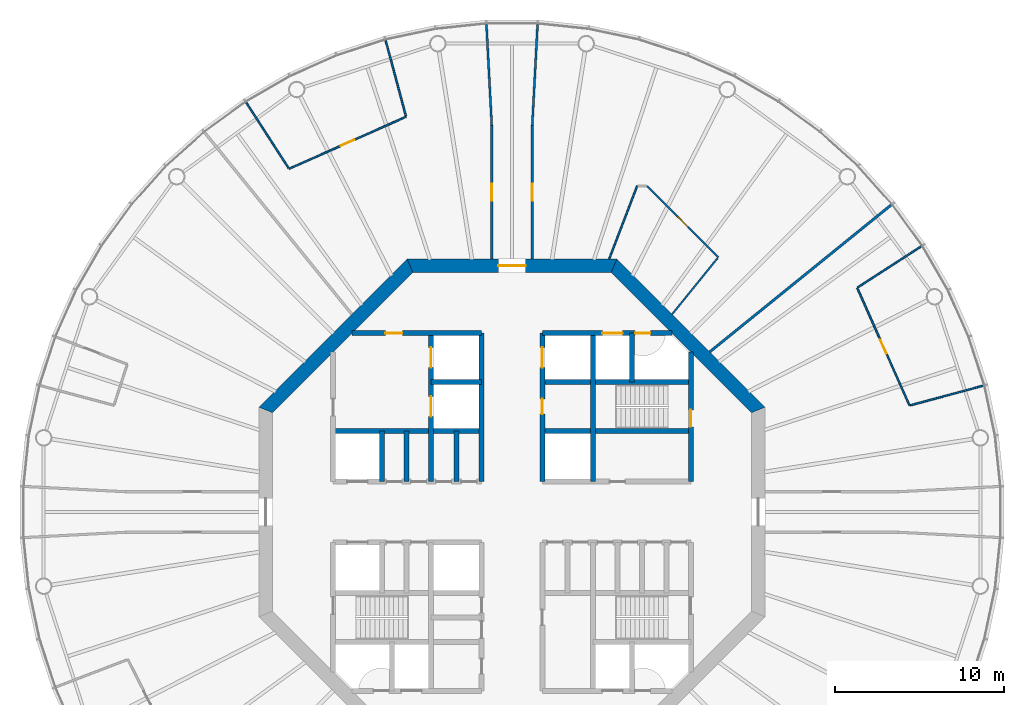
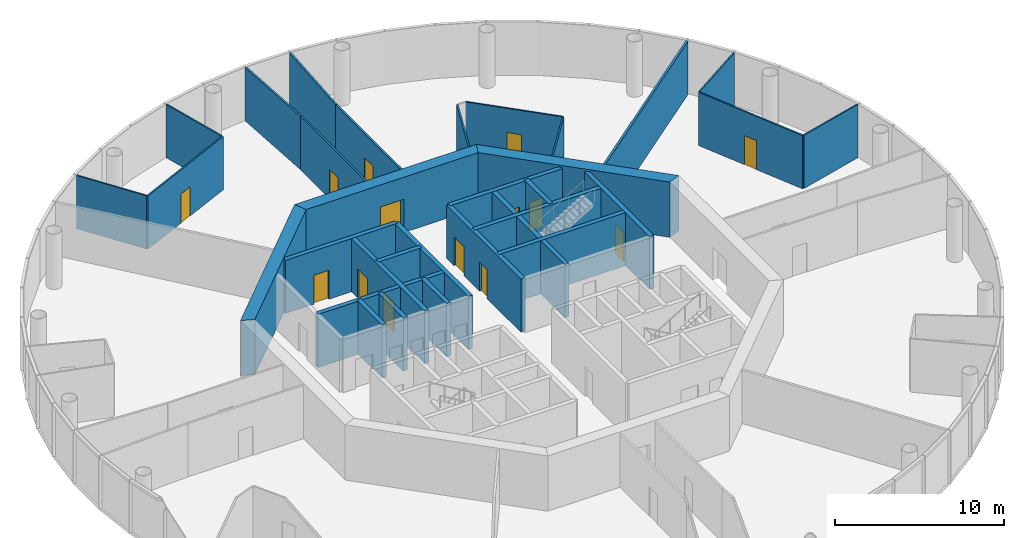
# One storey, part 5 of 13: 32 walls, 14 doors, 14 openings.
"""IFC4 building model written with IfcOpenShell, lengths in metres."""

from ifc_helpers import new_model, si_unit, direction, frame, frame_2d, origin, place, context, subcontext, project, spatial, polyline, rectangle, outline, extrude, material, layer, layer_set, type_object, element, fill, save


model = new_model("IFC4")

# Units and contexts
model_context = context("Model", 3, precision=1e-05, world=origin(), true_north=direction((0.0, 1.0)))
body_context = subcontext(model_context, "Body", "Model", "MODEL_VIEW")
ifc_project = project(units=[si_unit("LENGTHUNIT", "METRE"), si_unit("AREAUNIT", "SQUARE_METRE"), si_unit("VOLUMEUNIT", "CUBIC_METRE"), si_unit("PLANEANGLEUNIT", "RADIAN"), si_unit("MASSUNIT", "GRAM", prefix="KILO")], contexts=[model_context])

# Site, building, storey
site_placement = place(None, origin())
site = spatial("IfcSite", under=ifc_project, at=site_placement, CompositionType="ELEMENT")
building_placement = place(site_placement, origin())
building = spatial("IfcBuilding", under=site, at=building_placement, Name="Entoto Ring Tower", CompositionType="ELEMENT")
storey_placement = place(building_placement, frame((0.0, 0.0, 314.0)))
storey = spatial("IfcBuildingStorey", under=building, at=storey_placement, Name="L72", CompositionType="ELEMENT", Elevation=314.0)

# Wall, opening, door
ifc_material_1 = material(Name="Concrete C40/50", Category="concrete")
ifc_layer_1 = layer(ifc_material_1, 0.300048828125)
ifc_layer_set_1 = layer_set([ifc_layer_1], Name="Concrete C40/50")
wall_type_1 = type_object("IfcWallType", Name="Core enclosure wall 300 mm reinforced concrete", PredefinedType="SOLIDWALL", material=ifc_layer_set_1)
wall_1_placement = place(storey_placement, frame((100.60009765625, 81.800048828125, 0.0), z_axis=(0.0, 0.0, 1.0), x_axis=(0.0, 1.0, 0.0)))
wall_1 = element("IfcWall", 1, at=wall_1_placement, inside=storey, type_object=wall_type_1, Name="wall-L72-002", PredefinedType="SOLIDWALL", context=body_context, shape_type="SweptSolid", body=[
    extrude(rectangle(XDim=7.681640625, YDim=0.300048828125, at=frame_2d((3.8408203125, 0.0))), origin(), (0.0, 0.0, 1.0), 3.85009765625),
])
opening_1_placement = place(wall_1_placement, frame((3.25, 0.0, 0.0)))
opening_1 = element("IfcOpeningElement", 2, at=opening_1_placement, cuts=wall_1, Name="Opening K-29", PredefinedType="OPENING", context=body_context, shape_type="SweptSolid", body=[
    extrude(rectangle(XDim=1.0, YDim=2.10009765625, at=frame_2d((0.5, 1.050048828125))), frame((0.0, 0.16015625, 0.0), z_axis=(0.0, -1.0, 0.0), x_axis=(1.0, 0.0, 0.0)), (0.0, 0.0, 1.0), 0.320068359375),
])
ifc_material_2 = material(Name="Steel door leaf, fire rated", Category="steel")
ifc_layer_2 = layer(ifc_material_2, 0.050048828125)
ifc_layer_set_2 = layer_set([ifc_layer_2], Name="Steel door leaf, fire rated")
door_type_1 = type_object("IfcDoorType", Name="Fire door FD60 1000 x 2100 single leaf", OperationType="NOTDEFINED", PredefinedType="DOOR", material=ifc_layer_set_2)
door_1_placement = place(opening_1_placement, origin())
door_1 = element("IfcDoor", 3, at=door_1_placement, inside=storey, type_object=door_type_1, Name="Door K-29", OperationType="SINGLE_SWING_LEFT", OverallHeight=2.10009765625, OverallWidth=1.0, PredefinedType="DOOR", context=body_context, shape_type="SweptSolid", body=[
    extrude(rectangle(XDim=1.0, YDim=2.10009765625, at=frame_2d((0.5, 1.050048828125))), frame((0.0, 0.02490234375, 0.0), z_axis=(0.0, -1.0, 0.0), x_axis=(1.0, 0.0, 0.0)), (0.0, 0.0, 1.0), 0.050048828125),
])
fill(opening_1, door_1)

# Walls
wall_2_placement = place(storey_placement, frame((97.10009765625, 87.699951171875, 0.0), z_axis=(0.0, 0.0, 1.0), x_axis=(0.0, 1.0, 0.0)))
element("IfcWall", 4, at=wall_2_placement, inside=storey, type_object=wall_type_1, Name="wall-L72-006", PredefinedType="SOLIDWALL", context=body_context, shape_type="SweptSolid", body=[
    extrude(rectangle(XDim=2.900146484375, YDim=0.300048828125, at=frame_2d((1.4501953125, 0.0))), origin(), (0.0, 0.0, 1.0), 3.85009765625),
])
wall_3_placement = place(storey_placement, frame((94.800048828125, 81.800048828125, 0.0), z_axis=(0.0, 0.0, 1.0), x_axis=(0.0, 1.0, 0.0)))
element("IfcWall", 5, at=wall_3_placement, inside=storey, type_object=wall_type_1, Name="wall-L72-009", PredefinedType="SOLIDWALL", context=body_context, shape_type="SweptSolid", body=[
    extrude(rectangle(XDim=8.800048828125, YDim=0.300048828125, at=frame_2d((4.39990234375, 0.0))), origin(), (0.0, 0.0, 1.0), 3.85009765625),
])

# Wall, openings, doors
wall_4_placement = place(storey_placement, frame((91.800048828125, 81.800048828125, 0.0), z_axis=(0.0, 0.0, 1.0), x_axis=(0.0, 1.0, 0.0)))
wall_4 = element("IfcWall", 6, at=wall_4_placement, inside=storey, type_object=wall_type_1, Name="wall-L72-012", PredefinedType="SOLIDWALL", context=body_context, shape_type="SweptSolid", body=[
    extrude(rectangle(XDim=8.800048828125, YDim=0.300048828125, at=frame_2d((4.39990234375, 0.0))), origin(), (0.0, 0.0, 1.0), 3.85009765625),
])
opening_2_placement = place(wall_4_placement, frame((6.75, 0.0, 0.0)))
opening_2 = element("IfcOpeningElement", 7, at=opening_2_placement, cuts=wall_4, Name="Opening LD", PredefinedType="OPENING", context=body_context, shape_type="SweptSolid", body=[
    extrude(rectangle(XDim=1.199951171875, YDim=2.10009765625, at=frame_2d((0.60009765625, 1.050048828125))), frame((0.0, 0.16015625, 0.0), z_axis=(0.0, -1.0, 0.0), x_axis=(1.0, 0.0, 0.0)), (0.0, 0.0, 1.0), 0.320068359375),
])
opening_3_placement = place(wall_4_placement, frame((4.0, 0.0, 0.0)))
opening_3 = element("IfcOpeningElement", 8, at=opening_3_placement, cuts=wall_4, Name="Opening K-63", PredefinedType="OPENING", context=body_context, shape_type="SweptSolid", body=[
    extrude(rectangle(XDim=0.89990234375, YDim=2.10009765625, at=frame_2d((0.449951171875, 1.050048828125))), frame((0.0, 0.16015625, 0.0), z_axis=(0.0, -1.0, 0.0), x_axis=(1.0, 0.0, 0.0)), (0.0, 0.0, 1.0), 0.320068359375),
])
ifc_material_3 = material(Name="Steel door leaf, fire rated", Category="steel")
ifc_layer_3 = layer(ifc_material_3, 0.050048828125)
ifc_layer_set_3 = layer_set([ifc_layer_3], Name="Steel door leaf, fire rated")
door_type_2 = type_object("IfcDoorType", Name="Core door 900 x 2100 single leaf", OperationType="NOTDEFINED", PredefinedType="DOOR", material=ifc_layer_set_3)
door_2_placement = place(opening_3_placement, frame((0.89990234375, 0.0, 0.0), z_axis=(0.0, 0.0, 1.0), x_axis=(-1.0, 0.0, 0.0)))
door_2 = element("IfcDoor", 9, at=door_2_placement, inside=storey, type_object=door_type_2, Name="Door K-63", OperationType="SINGLE_SWING_RIGHT", OverallHeight=2.10009765625, OverallWidth=0.89990234375, PredefinedType="DOOR", context=body_context, shape_type="SweptSolid", body=[
    extrude(rectangle(XDim=0.89990234375, YDim=2.10009765625, at=frame_2d((0.449951171875, 1.050048828125))), frame((0.0, 0.02490234375, 0.0), z_axis=(0.0, -1.0, 0.0), x_axis=(1.0, 0.0, 0.0)), (0.0, 0.0, 1.0), 0.050048828125),
])
fill(opening_3, door_2)
ifc_material_4 = material(Name="Steel and glass door leaf", Category="steel")
ifc_layer_4 = layer(ifc_material_4, 0.050048828125)
ifc_layer_set_4 = layer_set([ifc_layer_4], Name="Steel and glass door leaf")
door_type_3 = type_object("IfcDoorType", Name="Landing door 1200 x 2100 sliding", OperationType="DOUBLE_DOOR_SLIDING", PredefinedType="DOOR", material=ifc_layer_set_4)
door_3_placement = place(opening_2_placement, origin())
door_3 = element("IfcDoor", 10, at=door_3_placement, inside=storey, type_object=door_type_3, Name="Landing door SH3", OperationType="SLIDING_TO_RIGHT", OverallHeight=2.10009765625, OverallWidth=1.199951171875, PredefinedType="DOOR", context=body_context, shape_type="SweptSolid", body=[
    extrude(rectangle(XDim=1.199951171875, YDim=2.10009765625, at=frame_2d((0.60009765625, 1.050048828125))), frame((0.0, 0.02490234375, 0.0), z_axis=(0.0, -1.0, 0.0), x_axis=(1.0, 0.0, 0.0)), (0.0, 0.0, 1.0), 0.050048828125),
])
fill(opening_2, door_3)

# Walls
wall_5_placement = place(storey_placement, frame((88.199951171875, 81.800048828125, 0.0), z_axis=(0.0, 0.0, 1.0), x_axis=(0.0, 1.0, 0.0)))
element("IfcWall", 11, at=wall_5_placement, inside=storey, type_object=wall_type_1, Name="wall-L72-014", PredefinedType="SOLIDWALL", context=body_context, shape_type="SweptSolid", body=[
    extrude(rectangle(XDim=8.800048828125, YDim=0.300048828125, at=frame_2d((4.39990234375, 0.0))), origin(), (0.0, 0.0, 1.0), 3.85009765625),
])
wall_6_placement = place(storey_placement, frame((86.699951171875, 81.800048828125, 0.0), z_axis=(0.0, 0.0, 1.0), x_axis=(0.0, 1.0, 0.0)))
element("IfcWall", 12, at=wall_6_placement, inside=storey, type_object=wall_type_1, Name="wall-L72-015", PredefinedType="SOLIDWALL", context=body_context, shape_type="SweptSolid", body=[
    extrude(rectangle(XDim=3.0, YDim=0.300048828125, at=frame_2d((1.5, 0.0))), origin(), (0.0, 0.0, 1.0), 3.85009765625),
])

# Wall, openings, doors
wall_7_placement = place(storey_placement, frame((85.199951171875, 81.800048828125, 0.0), z_axis=(0.0, 0.0, 1.0), x_axis=(0.0, 1.0, 0.0)))
wall_7 = element("IfcWall", 13, at=wall_7_placement, inside=storey, type_object=wall_type_1, Name="wall-L72-017", PredefinedType="SOLIDWALL", context=body_context, shape_type="SweptSolid", body=[
    extrude(rectangle(XDim=8.800048828125, YDim=0.300048828125, at=frame_2d((4.39990234375, 0.0))), origin(), (0.0, 0.0, 1.0), 3.85009765625),
])
opening_4_placement = place(wall_7_placement, frame((3.85009765625, 0.0, 0.0)))
opening_4 = element("IfcOpeningElement", 14, at=opening_4_placement, cuts=wall_7, Name="Opening LD", PredefinedType="OPENING", context=body_context, shape_type="SweptSolid", body=[
    extrude(rectangle(XDim=1.199951171875, YDim=2.10009765625, at=frame_2d((0.60009765625, 1.050048828125))), frame((0.0, 0.16015625, 0.0), z_axis=(0.0, -1.0, 0.0), x_axis=(1.0, 0.0, 0.0)), (0.0, 0.0, 1.0), 0.320068359375),
])
opening_5_placement = place(wall_7_placement, frame((6.75, 0.0, 0.0)))
opening_5 = element("IfcOpeningElement", 15, at=opening_5_placement, cuts=wall_7, Name="Opening LD", PredefinedType="OPENING", context=body_context, shape_type="SweptSolid", body=[
    extrude(rectangle(XDim=1.199951171875, YDim=2.10009765625, at=frame_2d((0.60009765625, 1.050048828125))), frame((0.0, 0.16015625, 0.0), z_axis=(0.0, -1.0, 0.0), x_axis=(1.0, 0.0, 0.0)), (0.0, 0.0, 1.0), 0.320068359375),
])
door_4_placement = place(opening_4_placement, origin())
door_4 = element("IfcDoor", 16, at=door_4_placement, inside=storey, type_object=door_type_3, Name="Landing door FF1", OperationType="SLIDING_TO_RIGHT", OverallHeight=2.10009765625, OverallWidth=1.199951171875, PredefinedType="DOOR", context=body_context, shape_type="SweptSolid", body=[
    extrude(rectangle(XDim=1.199951171875, YDim=2.10009765625, at=frame_2d((0.60009765625, 1.050048828125))), frame((0.0, 0.02490234375, 0.0), z_axis=(0.0, -1.0, 0.0), x_axis=(1.0, 0.0, 0.0)), (0.0, 0.0, 1.0), 0.050048828125),
])
fill(opening_4, door_4)
door_5_placement = place(opening_5_placement, origin())
door_5 = element("IfcDoor", 17, at=door_5_placement, inside=storey, type_object=door_type_3, Name="Landing door FF2", OperationType="SLIDING_TO_RIGHT", OverallHeight=2.10009765625, OverallWidth=1.199951171875, PredefinedType="DOOR", context=body_context, shape_type="SweptSolid", body=[
    extrude(rectangle(XDim=1.199951171875, YDim=2.10009765625, at=frame_2d((0.60009765625, 1.050048828125))), frame((0.0, 0.02490234375, 0.0), z_axis=(0.0, -1.0, 0.0), x_axis=(1.0, 0.0, 0.0)), (0.0, 0.0, 1.0), 0.050048828125),
])
fill(opening_5, door_5)

# Walls
for number, where, z_axis, x_axis, name in (
    (18, (83.75, 81.800048828125, 0.0), (0.0, 0.0, 1.0), (0.0, 1.0, 0.0), "wall-L72-019"),
    (19, (82.300048828125, 81.800048828125, 0.0), (0.0, 0.0, 1.0), (0.0, 1.0, 0.0), "wall-L72-022"),
):
    element("IfcWall", number, at=place(storey_placement, frame(where, z_axis=z_axis, x_axis=x_axis)), inside=storey, type_object=wall_type_1, Name=name, PredefinedType="SOLIDWALL", context=body_context, shape_type="SweptSolid", body=[
        extrude(rectangle(XDim=3.0, YDim=0.300048828125, at=frame_2d((1.5, 0.0))), origin(), (0.0, 0.0, 1.0), 3.85009765625),
    ])
for number, where, z_axis, x_axis, name in (
    (20, (79.39990234375, 84.800048828125, 0.0), (0.0, 0.0, 1.0), (1.0, 0.0, 0.0), "wall-L72-036"),
    (21, (91.800048828125, 84.800048828125, 0.0), (0.0, 0.0, 1.0), (1.0, 0.0, 0.0), "wall-L72-037"),
):
    element("IfcWall", number, at=place(storey_placement, frame(where, z_axis=z_axis, x_axis=x_axis)), inside=storey, type_object=wall_type_1, Name=name, PredefinedType="SOLIDWALL", context=body_context, shape_type="SweptSolid", body=[
        extrude(rectangle(XDim=8.800048828125, YDim=0.300048828125, at=frame_2d((4.39990234375, 0.0))), origin(), (0.0, 0.0, 1.0), 3.85009765625),
    ])
wall_8_placement = place(storey_placement, frame((85.199951171875, 87.699951171875, 0.0), z_axis=(0.0, 0.0, 1.0), x_axis=(1.0, 0.0, 0.0)))
element("IfcWall", 22, at=wall_8_placement, inside=storey, type_object=wall_type_1, Name="wall-L72-038", PredefinedType="SOLIDWALL", context=body_context, shape_type="SweptSolid", body=[
    extrude(rectangle(XDim=3.0, YDim=0.300048828125, at=frame_2d((1.5, 0.0))), origin(), (0.0, 0.0, 1.0), 3.85009765625),
])
wall_9_placement = place(storey_placement, frame((91.800048828125, 87.699951171875, 0.0), z_axis=(0.0, 0.0, 1.0), x_axis=(1.0, 0.0, 0.0)))
element("IfcWall", 23, at=wall_9_placement, inside=storey, type_object=wall_type_1, Name="wall-L72-039", PredefinedType="SOLIDWALL", context=body_context, shape_type="SweptSolid", body=[
    extrude(rectangle(XDim=8.800048828125, YDim=0.300048828125, at=frame_2d((4.39990234375, 0.0))), origin(), (0.0, 0.0, 1.0), 3.85009765625),
])

# Wall, opening, door
wall_10_placement = place(storey_placement, frame((80.518310546875, 90.60009765625, 0.0), z_axis=(0.0, 0.0, 1.0), x_axis=(1.0, 0.0, 0.0)))
wall_10 = element("IfcWall", 24, at=wall_10_placement, inside=storey, type_object=wall_type_1, Name="wall-L72-040", PredefinedType="SOLIDWALL", context=body_context, shape_type="SweptSolid", body=[
    extrude(rectangle(XDim=7.681640625, YDim=0.300048828125, at=frame_2d((3.8408203125, 0.0))), origin(), (0.0, 0.0, 1.0), 3.85009765625),
])
opening_6_placement = place(wall_10_placement, frame((1.981689453125, 0.0, 0.0)))
opening_6 = element("IfcOpeningElement", 25, at=opening_6_placement, cuts=wall_10, Name="Opening K-36", PredefinedType="OPENING", context=body_context, shape_type="SweptSolid", body=[
    extrude(rectangle(XDim=1.0, YDim=2.10009765625, at=frame_2d((0.5, 1.050048828125))), frame((0.0, 0.16015625, 0.0), z_axis=(0.0, -1.0, 0.0), x_axis=(1.0, 0.0, 0.0)), (0.0, 0.0, 1.0), 0.320068359375),
])
door_6_placement = place(opening_6_placement, frame((1.0, 0.0, 0.0), z_axis=(0.0, 0.0, 1.0), x_axis=(-1.0, 0.0, 0.0)))
door_6 = element("IfcDoor", 26, at=door_6_placement, inside=storey, type_object=door_type_1, Name="Door K-36", OperationType="SINGLE_SWING_LEFT", OverallHeight=2.10009765625, OverallWidth=1.0, PredefinedType="DOOR", context=body_context, shape_type="SweptSolid", body=[
    extrude(rectangle(XDim=1.0, YDim=2.10009765625, at=frame_2d((0.5, 1.050048828125))), frame((0.0, 0.02490234375, 0.0), z_axis=(0.0, -1.0, 0.0), x_axis=(1.0, 0.0, 0.0)), (0.0, 0.0, 1.0), 0.050048828125),
])
fill(opening_6, door_6)

# Wall, openings, doors
wall_11_placement = place(storey_placement, frame((91.800048828125, 90.60009765625, 0.0), z_axis=(0.0, 0.0, 1.0), x_axis=(1.0, 0.0, 0.0)))
wall_11 = element("IfcWall", 27, at=wall_11_placement, inside=storey, type_object=wall_type_1, Name="wall-L72-041", PredefinedType="SOLIDWALL", context=body_context, shape_type="SweptSolid", body=[
    extrude(rectangle(XDim=7.681640625, YDim=0.300048828125, at=frame_2d((3.8408203125, 0.0))), origin(), (0.0, 0.0, 1.0), 3.85009765625),
])
opening_7_placement = place(wall_11_placement, frame((3.550048828125, 0.0, 0.0)))
opening_7 = element("IfcOpeningElement", 28, at=opening_7_placement, cuts=wall_11, Name="Opening LD", PredefinedType="OPENING", context=body_context, shape_type="SweptSolid", body=[
    extrude(rectangle(XDim=1.199951171875, YDim=2.10009765625, at=frame_2d((0.60009765625, 1.050048828125))), frame((0.0, 0.16015625, 0.0), z_axis=(0.0, -1.0, 0.0), x_axis=(1.0, 0.0, 0.0)), (0.0, 0.0, 1.0), 0.320068359375),
])
opening_8_placement = place(wall_11_placement, frame((5.5, 0.0, 0.0)))
opening_8 = element("IfcOpeningElement", 29, at=opening_8_placement, cuts=wall_11, Name="Opening K-32", PredefinedType="OPENING", context=body_context, shape_type="SweptSolid", body=[
    extrude(rectangle(XDim=0.89990234375, YDim=2.10009765625, at=frame_2d((0.449951171875, 1.050048828125))), frame((0.0, 0.16015625, 0.0), z_axis=(0.0, -1.0, 0.0), x_axis=(1.0, 0.0, 0.0)), (0.0, 0.0, 1.0), 0.320068359375),
])
door_7_placement = place(opening_7_placement, origin())
door_7 = element("IfcDoor", 30, at=door_7_placement, inside=storey, type_object=door_type_3, Name="Landing door LB1-HR", OperationType="SLIDING_TO_RIGHT", OverallHeight=2.10009765625, OverallWidth=1.199951171875, PredefinedType="DOOR", context=body_context, shape_type="SweptSolid", body=[
    extrude(rectangle(XDim=1.199951171875, YDim=2.10009765625, at=frame_2d((0.60009765625, 1.050048828125))), frame((0.0, 0.02490234375, 0.0), z_axis=(0.0, -1.0, 0.0), x_axis=(1.0, 0.0, 0.0)), (0.0, 0.0, 1.0), 0.050048828125),
])
fill(opening_7, door_7)
ifc_material_5 = material(Name="Steel door leaf, fire rated", Category="steel")
ifc_layer_5 = layer(ifc_material_5, 0.050048828125)
ifc_layer_set_5 = layer_set([ifc_layer_5], Name="Steel door leaf, fire rated")
door_type_4 = type_object("IfcDoorType", Name="Riser door FD60 900 x 2100 single leaf", OperationType="NOTDEFINED", PredefinedType="DOOR", material=ifc_layer_set_5)
door_8_placement = place(opening_8_placement, frame((0.89990234375, 0.0, 0.0), z_axis=(0.0, 0.0, 1.0), x_axis=(-1.0, 0.0, 0.0)))
door_8 = element("IfcDoor", 31, at=door_8_placement, inside=storey, type_object=door_type_4, Name="Door K-32", OperationType="SINGLE_SWING_RIGHT", OverallHeight=2.10009765625, OverallWidth=0.89990234375, PredefinedType="DOOR", context=body_context, shape_type="SweptSolid", body=[
    extrude(rectangle(XDim=0.89990234375, YDim=2.10009765625, at=frame_2d((0.449951171875, 1.050048828125))), frame((0.0, 0.02490234375, 0.0), z_axis=(0.0, -1.0, 0.0), x_axis=(1.0, 0.0, 0.0)), (0.0, 0.0, 1.0), 0.050048828125),
])
fill(opening_8, door_8)

# Wall
ifc_material_6 = material(Name="Concrete C40/50", Category="concrete")
ifc_layer_6 = layer(ifc_material_6, 0.800048828125)
ifc_layer_set_6 = layer_set([ifc_layer_6], Name="Concrete C40/50")
wall_type_2 = type_object("IfcWallType", Name="Core shear wall 800 mm reinforced concrete C40/50", PredefinedType="SHEAR", material=ifc_layer_set_6)
wall_12_placement = place(storey_placement, frame((104.60009765625, 86.047607421875, 0.0), z_axis=(0.0, 0.0, 1.0), x_axis=(-0.707106781187, 0.707106781187, 0.0)))
element("IfcWall", 32, at=wall_12_placement, inside=storey, type_object=wall_type_2, Name="wall-L72-core-1", PredefinedType="SHEAR", context=body_context, shape_type="SweptSolid", body=[
    extrude(outline(polyline([(-0.165771484375, -0.39990234375), (12.2607421875, -0.39990234375), (11.92919921875, 0.39990234375), (0.165771484375, 0.39990234375), (-0.165771484375, -0.39990234375)])), origin(), (0.0, 0.0, 1.0), 4.0),
])

# Wall, opening, door
wall_13_placement = place(storey_placement, frame((96.047607421875, 94.60009765625, 0.0), z_axis=(0.0, 0.0, 1.0), x_axis=(-1.0, 0.0, 0.0)))
wall_13 = element("IfcWall", 33, at=wall_13_placement, inside=storey, type_object=wall_type_2, Name="wall-L72-core-2", PredefinedType="SHEAR", context=body_context, shape_type="SweptSolid", body=[
    extrude(outline(polyline([(-0.165771484375, -0.39990234375), (12.260986328125, -0.39990234375), (11.929443359375, 0.39990234375), (0.165771484375, 0.39990234375), (-0.165771484375, -0.39990234375)])), origin(), (0.0, 0.0, 1.0), 4.0),
])
opening_9_placement = place(wall_13_placement, frame((5.24755859375, 0.0, 0.0)))
opening_9 = element("IfcOpeningElement", 34, at=opening_9_placement, cuts=wall_13, Name="Opening K-02", PredefinedType="OPENING", context=body_context, shape_type="SweptSolid", body=[
    extrude(rectangle(XDim=1.60009765625, YDim=2.39990234375, at=frame_2d((0.800048828125, 1.199951171875))), frame((0.0, 0.41015625, 0.0), z_axis=(0.0, -1.0, 0.0), x_axis=(1.0, 0.0, 0.0)), (0.0, 0.0, 1.0), 0.820068359375),
])
ifc_material_7 = material(Name="Steel door leaf, fire rated", Category="steel")
ifc_layer_7 = layer(ifc_material_7, 0.050048828125)
ifc_layer_set_7 = layer_set([ifc_layer_7], Name="Steel door leaf, fire rated")
door_type_5 = type_object("IfcDoorType", Name="Entrance door FD60 1600 x 2400 double leaf", OperationType="DOUBLE_DOOR_SINGLE_SWING", PredefinedType="DOOR", material=ifc_layer_set_7)
door_9_placement = place(opening_9_placement, origin())
door_9 = element("IfcDoor", 35, at=door_9_placement, inside=storey, type_object=door_type_5, Name="Entrance door K-02", OperationType="DOUBLE_DOOR_SINGLE_SWING", OverallHeight=2.39990234375, OverallWidth=1.60009765625, PredefinedType="DOOR", context=body_context, shape_type="SweptSolid", body=[
    extrude(rectangle(XDim=1.60009765625, YDim=2.39990234375, at=frame_2d((0.800048828125, 1.199951171875))), frame((0.0, 0.02490234375, 0.0), z_axis=(0.0, -1.0, 0.0), x_axis=(1.0, 0.0, 0.0)), (0.0, 0.0, 1.0), 0.050048828125),
])
fill(opening_9, door_9)

# Wall
wall_14_placement = place(storey_placement, frame((83.952392578125, 94.60009765625, 0.0), z_axis=(0.0, 0.0, 1.0), x_axis=(-0.707106781187, -0.707106781187, 0.0)))
element("IfcWall", 36, at=wall_14_placement, inside=storey, type_object=wall_type_2, Name="wall-L72-core-3", PredefinedType="SHEAR", context=body_context, shape_type="SweptSolid", body=[
    extrude(outline(polyline([(-0.165771484375, -0.39990234375), (12.2607421875, -0.39990234375), (11.92919921875, 0.39990234375), (0.165771484375, 0.39990234375), (-0.165771484375, -0.39990234375)])), origin(), (0.0, 0.0, 1.0), 4.0),
])

# Wall, opening, door
ifc_material_8 = material(Name="Fire-resisting plasterboard on steel studs", Category="steel")
ifc_layer_8 = layer(ifc_material_8, 0.125)
ifc_layer_set_8 = layer_set([ifc_layer_8], Name="Fire-resisting plasterboard on steel studs")
wall_type_3 = type_object("IfcWallType", Name="Corridor wall 125 mm one-hour plasterboard on steel studs", PredefinedType="PARTITIONING", material=ifc_layer_set_8)
wall_15_placement = place(storey_placement, frame((88.800048828125, 95.0, 0.0), z_axis=(0.0, 0.0, 1.0), x_axis=(0.0, 1.0, 0.0)))
wall_15 = element("IfcWall", 37, at=wall_15_placement, inside=storey, type_object=wall_type_3, Name="partition-L72-004", PredefinedType="PARTITIONING", context=body_context, shape_type="SweptSolid", body=[
    extrude(rectangle(XDim=7.8974609375, YDim=0.125, at=frame_2d((3.94873046875, 0.0))), origin(), (0.0, 0.0, 1.0), 3.85009765625),
])
opening_10_placement = place(wall_15_placement, frame((3.44873046875, 0.0, 0.0)))
opening_10 = element("IfcOpeningElement", 38, at=opening_10_placement, cuts=wall_15, Name="Opening A31-D05", PredefinedType="OPENING", context=body_context, shape_type="SweptSolid", body=[
    extrude(rectangle(XDim=1.0, YDim=2.10009765625, at=frame_2d((0.5, 1.050048828125))), frame((0.0, 0.072509765625, 0.0), z_axis=(0.0, -1.0, 0.0), x_axis=(1.0, 0.0, 0.0)), (0.0, 0.0, 1.0), 0.14501953125),
])
ifc_material_9 = material(Name="Fire-resisting timber door set", Category="wood")
door_type_6 = type_object("IfcDoorType", Name="Door 1000 x 2100 single leaf FD30S fire door", OperationType="NOTDEFINED", PredefinedType="DOOR", material=ifc_material_9)
door_10_placement = place(opening_10_placement, origin())
door_10 = element("IfcDoor", 39, at=door_10_placement, inside=storey, type_object=door_type_6, Name="Door A31-D05", OperationType="SINGLE_SWING_LEFT", OverallHeight=2.10009765625, OverallWidth=1.0, PredefinedType="DOOR", context=body_context, shape_type="SweptSolid", body=[
    extrude(rectangle(XDim=1.0, YDim=2.10009765625, at=frame_2d((0.5, 1.050048828125))), frame((0.0, 0.02490234375, 0.0), z_axis=(0.0, -1.0, 0.0), x_axis=(1.0, 0.0, 0.0)), (0.0, 0.0, 1.0), 0.050048828125),
])
fill(opening_10, door_10)

wall_16_placement = place(storey_placement, frame((91.199951171875, 95.0, 0.0), z_axis=(0.0, 0.0, 1.0), x_axis=(0.0, 1.0, 0.0)))
wall_16 = element("IfcWall", 40, at=wall_16_placement, inside=storey, type_object=wall_type_3, Name="partition-L72-006", PredefinedType="PARTITIONING", context=body_context, shape_type="SweptSolid", body=[
    extrude(rectangle(XDim=7.8974609375, YDim=0.125, at=frame_2d((3.94873046875, 0.0))), origin(), (0.0, 0.0, 1.0), 3.85009765625),
])
opening_11_placement = place(wall_16_placement, frame((3.44873046875, 0.0, 0.0)))
opening_11 = element("IfcOpeningElement", 41, at=opening_11_placement, cuts=wall_16, Name="Opening A31-D03", PredefinedType="OPENING", context=body_context, shape_type="SweptSolid", body=[
    extrude(rectangle(XDim=1.0, YDim=2.10009765625, at=frame_2d((0.5, 1.050048828125))), frame((0.0, 0.072509765625, 0.0), z_axis=(0.0, -1.0, 0.0), x_axis=(1.0, 0.0, 0.0)), (0.0, 0.0, 1.0), 0.14501953125),
])
door_11_placement = place(opening_11_placement, frame((1.0, 0.0, 0.0), z_axis=(0.0, 0.0, 1.0), x_axis=(-1.0, 0.0, 0.0)))
door_11 = element("IfcDoor", 42, at=door_11_placement, inside=storey, type_object=door_type_6, Name="Door A31-D03", OperationType="SINGLE_SWING_RIGHT", OverallHeight=2.10009765625, OverallWidth=1.0, PredefinedType="DOOR", context=body_context, shape_type="SweptSolid", body=[
    extrude(rectangle(XDim=1.0, YDim=2.10009765625, at=frame_2d((0.5, 1.050048828125))), frame((0.0, 0.02490234375, 0.0), z_axis=(0.0, -1.0, 0.0), x_axis=(1.0, 0.0, 0.0)), (0.0, 0.0, 1.0), 0.050048828125),
])
fill(opening_11, door_11)

# Walls
for number, where, z_axis, x_axis, name in (
    (43, (88.7998046875, 102.900634765625, 0.0), (0.0, 0.0, 1.0), (-0.052339150565, 0.998629367342, 0.0), "partition-L72-012"),
    (44, (91.2001953125, 102.900634765625, 0.0), (0.0, 0.0, 1.0), (0.052339150565, 0.998629367342, 0.0), "partition-L72-013"),
):
    element("IfcWall", number, at=place(storey_placement, frame(where, z_axis=z_axis, x_axis=x_axis)), inside=storey, type_object=wall_type_3, Name=name, PredefinedType="PARTITIONING", context=body_context, shape_type="SweptSolid", body=[
        extrude(rectangle(XDim=6.008056640625, YDim=0.125, at=frame_2d((3.00390625, 0.0))), origin(), (0.0, 0.0, 1.0), 3.85009765625),
    ])

# Wall, opening, door
ifc_material_10 = material(Name="Plasterboard on steel studs", Category="steel")
ifc_layer_9 = layer(ifc_material_10, 0.10009765625)
ifc_layer_set_9 = layer_set([ifc_layer_9], Name="Plasterboard on steel studs")
wall_type_4 = type_object("IfcWallType", Name="Partition 100 mm plasterboard on steel studs", PredefinedType="PARTITIONING", material=ifc_layer_set_9)
wall_17_placement = place(storey_placement, frame((113.558837890625, 86.3125, 0.0), z_axis=(0.0, 0.0, 1.0), x_axis=(-0.406735044225, 0.913546169495, 0.0)))
wall_17 = element("IfcWall", 45, at=wall_17_placement, inside=storey, type_object=wall_type_4, Name="partition-L72-021", PredefinedType="PARTITIONING", context=body_context, shape_type="SweptSolid", body=[
    extrude(rectangle(XDim=7.630859375, YDim=0.10009765625, at=frame_2d((3.8154296875, 0.0))), origin(), (0.0, 0.0, 1.0), 3.85009765625),
])
opening_12_placement = place(wall_17_placement, frame((3.365478515625, 0.0, 0.0)))
opening_12 = element("IfcOpeningElement", 46, at=opening_12_placement, cuts=wall_17, Name="Opening A31-D02", PredefinedType="OPENING", context=body_context, shape_type="SweptSolid", body=[
    extrude(rectangle(XDim=0.89990234375, YDim=2.10009765625, at=frame_2d((0.449951171875, 1.050048828125))), frame((0.0, 0.06005859375, 0.0), z_axis=(0.0, -1.0, 0.0), x_axis=(1.0, 0.0, 0.0)), (0.0, 0.0, 1.0), 0.1201171875),
])
ifc_material_11 = material(Name="Veneered timber door leaf in timber frame", Category="wood")
door_type_7 = type_object("IfcDoorType", Name="Door 900 x 2100 single leaf timber veneer", OperationType="NOTDEFINED", PredefinedType="DOOR", material=ifc_material_11)
door_12_placement = place(opening_12_placement, frame((0.89990234375, 0.0, 0.0), z_axis=(0.0, 0.0, 1.0), x_axis=(-1.0, 0.0, 0.0)))
door_12 = element("IfcDoor", 47, at=door_12_placement, inside=storey, type_object=door_type_7, Name="Door A31-D02", OperationType="SINGLE_SWING_RIGHT", OverallHeight=2.10009765625, OverallWidth=0.89990234375, PredefinedType="DOOR", context=body_context, shape_type="SweptSolid", body=[
    extrude(rectangle(XDim=0.89990234375, YDim=2.10009765625, at=frame_2d((0.449951171875, 1.050048828125))), frame((0.0, 0.02490234375, 0.0), z_axis=(0.0, -1.0, 0.0), x_axis=(1.0, 0.0, 0.0)), (0.0, 0.0, 1.0), 0.050048828125),
])
fill(opening_12, door_12)

wall_18_placement = place(storey_placement, frame((76.79248046875, 100.337890625, 0.0), z_axis=(0.0, 0.0, 1.0), x_axis=(0.913557920671, 0.406708649502, 0.0)))
wall_18 = element("IfcWall", 48, at=wall_18_placement, inside=storey, type_object=wall_type_4, Name="partition-L72-022", PredefinedType="PARTITIONING", context=body_context, shape_type="SweptSolid", body=[
    extrude(rectangle(XDim=7.5869140625, YDim=0.10009765625, at=frame_2d((3.79345703125, 0.0))), origin(), (0.0, 0.0, 1.0), 3.85009765625),
])
opening_13_placement = place(wall_18_placement, frame((3.343505859375, 0.0, 0.0)))
opening_13 = element("IfcOpeningElement", 49, at=opening_13_placement, cuts=wall_18, Name="Opening A31-D06", PredefinedType="OPENING", context=body_context, shape_type="SweptSolid", body=[
    extrude(rectangle(XDim=0.89990234375, YDim=2.10009765625, at=frame_2d((0.449951171875, 1.050048828125))), frame((0.0, 0.06005859375, 0.0), z_axis=(0.0, -1.0, 0.0), x_axis=(1.0, 0.0, 0.0)), (0.0, 0.0, 1.0), 0.1201171875),
])
door_13_placement = place(opening_13_placement, origin())
door_13 = element("IfcDoor", 50, at=door_13_placement, inside=storey, type_object=door_type_7, Name="Door A31-D06", OperationType="SINGLE_SWING_LEFT", OverallHeight=2.10009765625, OverallWidth=0.89990234375, PredefinedType="DOOR", context=body_context, shape_type="SweptSolid", body=[
    extrude(rectangle(XDim=0.89990234375, YDim=2.10009765625, at=frame_2d((0.449951171875, 1.050048828125))), frame((0.0, 0.02490234375, 0.0), z_axis=(0.0, -1.0, 0.0), x_axis=(1.0, 0.0, 0.0)), (0.0, 0.0, 1.0), 0.050048828125),
])
fill(opening_13, door_13)

wall_19_placement = place(storey_placement, frame((102.225341796875, 95.09716796875, 0.0), z_axis=(0.0, 0.0, 1.0), x_axis=(-0.707086340144, 0.707127221639, 0.0)))
wall_19 = element("IfcWall", 51, at=wall_19_placement, inside=storey, type_object=wall_type_4, Name="partition-L72-023", PredefinedType="PARTITIONING", context=body_context, shape_type="SweptSolid", body=[
    extrude(rectangle(XDim=5.971923828125, YDim=0.10009765625, at=frame_2d((2.98583984375, 0.0))), origin(), (0.0, 0.0, 1.0), 3.85009765625),
])
opening_14_placement = place(wall_19_placement, frame((2.535888671875, 0.0, 0.0)))
opening_14 = element("IfcOpeningElement", 52, at=opening_14_placement, cuts=wall_19, Name="Opening A31-D04", PredefinedType="OPENING", context=body_context, shape_type="SweptSolid", body=[
    extrude(rectangle(XDim=0.89990234375, YDim=2.10009765625, at=frame_2d((0.449951171875, 1.050048828125))), frame((0.0, 0.06005859375, 0.0), z_axis=(0.0, -1.0, 0.0), x_axis=(1.0, 0.0, 0.0)), (0.0, 0.0, 1.0), 0.1201171875),
])
door_14_placement = place(opening_14_placement, origin())
door_14 = element("IfcDoor", 53, at=door_14_placement, inside=storey, type_object=door_type_7, Name="Door A31-D04", OperationType="SINGLE_SWING_LEFT", OverallHeight=2.10009765625, OverallWidth=0.89990234375, PredefinedType="DOOR", context=body_context, shape_type="SweptSolid", body=[
    extrude(rectangle(XDim=0.89990234375, YDim=2.10009765625, at=frame_2d((0.449951171875, 1.050048828125))), frame((0.0, 0.02490234375, 0.0), z_axis=(0.0, -1.0, 0.0), x_axis=(1.0, 0.0, 0.0)), (0.0, 0.0, 1.0), 0.050048828125),
])
fill(opening_14, door_14)

# Walls
wall_20_placement = place(storey_placement, frame((76.765625, 100.379150390625, 0.0), z_axis=(0.0, 0.0, 1.0), x_axis=(-0.544668399465, 0.838651497718, 0.0)))
element("IfcWall", 54, at=wall_20_placement, inside=storey, type_object=wall_type_4, Name="partition-L72-027", PredefinedType="PARTITIONING", context=body_context, shape_type="SweptSolid", body=[
    extrude(rectangle(XDim=4.640625, YDim=0.10009765625, at=frame_2d((2.3203125, 0.0))), origin(), (0.0, 0.0, 1.0), 3.85009765625),
])
wall_21_placement = place(storey_placement, frame((83.7109375, 103.47119140625, 0.0), z_axis=(0.0, 0.0, 1.0), x_axis=(-0.258828119506, 0.965923394764, 0.0)))
element("IfcWall", 55, at=wall_21_placement, inside=storey, type_object=wall_type_4, Name="partition-L72-028", PredefinedType="PARTITIONING", context=body_context, shape_type="SweptSolid", body=[
    extrude(rectangle(XDim=4.640869140625, YDim=0.10009765625, at=frame_2d((2.3203125, 0.0))), origin(), (0.0, 0.0, 1.0), 3.85009765625),
])
wall_22_placement = place(storey_placement, frame((95.758056640625, 95.0, 0.0), z_axis=(0.0, 0.0, 1.0), x_axis=(0.358346148345, 0.933588794902, 0.0)))
element("IfcWall", 56, at=wall_22_placement, inside=storey, type_object=wall_type_4, Name="partition-L72-029", PredefinedType="PARTITIONING", context=body_context, shape_type="SweptSolid", body=[
    extrude(rectangle(XDim=4.62744140625, YDim=0.10009765625, at=frame_2d((2.313720703125, 0.0))), origin(), (0.0, 0.0, 1.0), 3.85009765625),
])
wall_23_placement = place(storey_placement, frame((110.49658203125, 93.310546875, 0.0), z_axis=(0.0, 0.0, 1.0), x_axis=(0.838641858699, 0.544683240828, 0.0)))
element("IfcWall", 57, at=wall_23_placement, inside=storey, type_object=wall_type_4, Name="partition-L72-031", PredefinedType="PARTITIONING", context=body_context, shape_type="SweptSolid", body=[
    extrude(rectangle(XDim=4.500732421875, YDim=0.10009765625, at=frame_2d((2.25048828125, 0.0))), origin(), (0.0, 0.0, 1.0), 3.85009765625),
])
wall_24_placement = place(storey_placement, frame((113.606689453125, 86.325439453125, 0.0), z_axis=(0.0, 0.0, 1.0), x_axis=(0.965927227488, 0.2588138157, 0.0)))
element("IfcWall", 58, at=wall_24_placement, inside=storey, type_object=wall_type_4, Name="partition-L72-033", PredefinedType="PARTITIONING", context=body_context, shape_type="SweptSolid", body=[
    extrude(rectangle(XDim=4.50048828125, YDim=0.10009765625, at=frame_2d((2.250244140625, 0.0))), origin(), (0.0, 0.0, 1.0), 3.85009765625),
])
wall_25_placement = place(storey_placement, frame((99.49169921875, 91.721435546875, 0.0), z_axis=(0.0, 0.0, 1.0), x_axis=(0.629322521705, 0.777144236082, 0.0)))
element("IfcWall", 59, at=wall_25_placement, inside=storey, type_object=wall_type_4, Name="partition-L72-036", PredefinedType="PARTITIONING", context=body_context, shape_type="SweptSolid", body=[
    extrude(rectangle(XDim=4.294189453125, YDim=0.10009765625, at=frame_2d((2.14697265625, 0.0))), origin(), (0.0, 0.0, 1.0), 3.85009765625),
])
ifc_material_12 = material(Name="Fire-resisting acoustic plasterboard on steel studs", Category="steel")
ifc_layer_10 = layer(ifc_material_12, 0.14990234375)
ifc_layer_set_10 = layer_set([ifc_layer_10], Name="Fire-resisting acoustic plasterboard on steel studs")
wall_type_5 = type_object("IfcWallType", Name="Party wall 150 mm one-hour acoustic plasterboard on steel studs", PredefinedType="PARTITIONING", material=ifc_layer_set_10)
wall_26_placement = place(storey_placement, frame((101.721435546875, 89.49169921875, 0.0), z_axis=(0.0, 0.0, 1.0), x_axis=(0.777142288207, 0.629324927109, 0.0)))
element("IfcWall", 60, at=wall_26_placement, inside=storey, type_object=wall_type_5, Name="partition-L72-018", PredefinedType="PARTITIONING", context=body_context, shape_type="SweptSolid", body=[
    extrude(rectangle(XDim=13.857177734375, YDim=0.14990234375, at=frame_2d((6.9287109375, 0.0))), origin(), (0.0, 0.0, 1.0), 3.85009765625),
])

save(model, "model.ifc")
